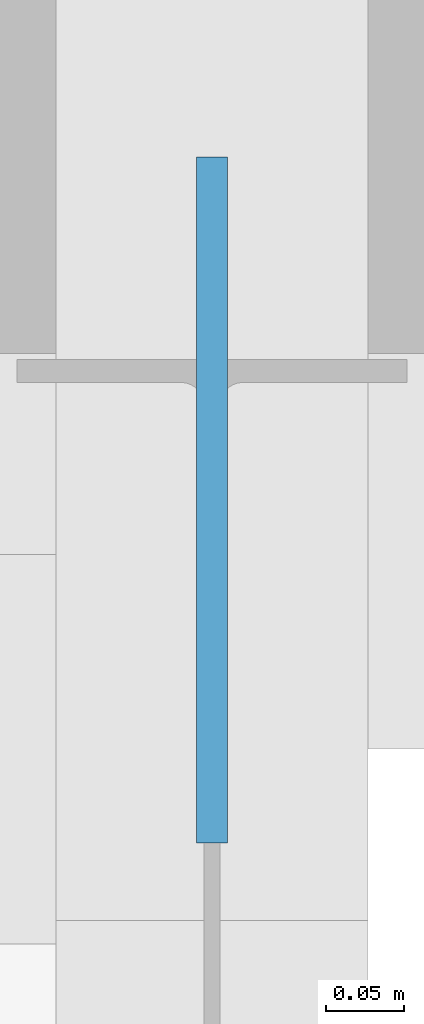
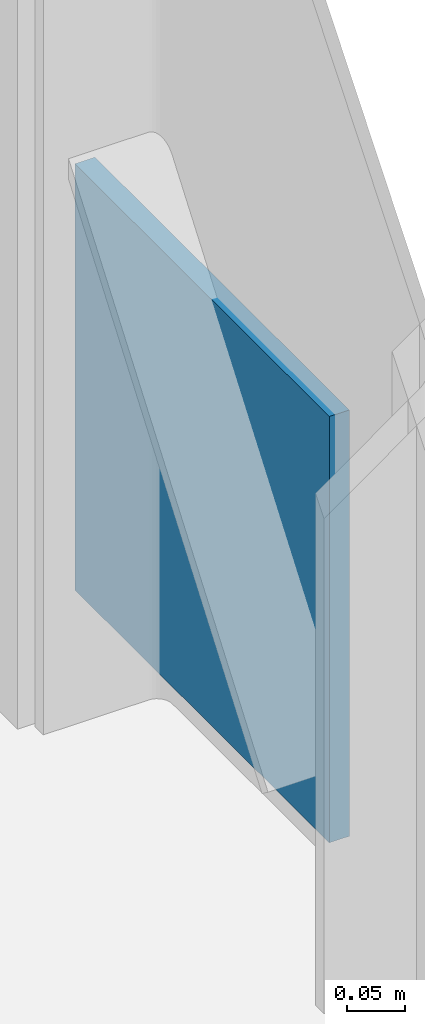
# One storey, part 66 of 84: 1 discrete accessory.
"""IFC4 building model written with IfcOpenShell, lengths in metres."""

from ifc_helpers import new_model, si_unit, direction, frame, origin, origin_2d, place, context, subcontext, project, spatial, rectangle, extrude, material, layer, layer_set, type_object, element, save


model = new_model("IFC4")

# Units and contexts
model_context = context("Model", 3, precision=1e-05, world=origin(), true_north=direction((0.0, 1.0)))
body_context = subcontext(model_context, "Body", "Model", "MODEL_VIEW")
ifc_project = project(units=[si_unit("LENGTHUNIT", "METRE"), si_unit("AREAUNIT", "SQUARE_METRE"), si_unit("VOLUMEUNIT", "CUBIC_METRE"), si_unit("PLANEANGLEUNIT", "RADIAN"), si_unit("MASSUNIT", "GRAM", prefix="KILO")], contexts=[model_context])

# Site, building, storey
site_placement = place(None, origin())
site = spatial("IfcSite", under=ifc_project, at=site_placement, CompositionType="ELEMENT")
building_placement = place(site_placement, origin())
building = spatial("IfcBuilding", under=site, at=building_placement, Name="Varnakota Square Police Headquarters", CompositionType="ELEMENT")
storey_placement = place(building_placement, frame((0.0, 0.0, 13.5)))
storey = spatial("IfcBuildingStorey", under=building, at=storey_placement, Name="L03", CompositionType="ELEMENT", Elevation=13.5)

# Discrete accessory
ifc_material = material(Name="Steel IS 2062 Grade 350", Category="steel")
ifc_layer = layer(ifc_material, 0.64990234375, Name="Steel IS 2062 Grade 350")
ifc_layer_set = layer_set([ifc_layer], Name="Steel IS 2062 Grade 350")
discrete_accessory_type = type_object("IfcDiscreteAccessoryType", Name="ACC-EMB-350", PredefinedType="BRACKET", material=ifc_layer_set)
discrete_accessory_placement = place(storey_placement, frame((42.0, 27.159912109375, 0.02490234375), z_axis=(0.0, 0.0, 1.0), x_axis=(0.0, 1.0, 0.0)))
element("IfcDiscreteAccessory", 1, at=discrete_accessory_placement, inside=storey, type_object=discrete_accessory_type, Name="Brace gusset connection plate BF3 L03 L", PredefinedType="BRACKET", context=body_context, shape_type="SweptSolid", body=[
    extrude(rectangle(XDim=0.43994140625, YDim=0.02001953125, at=origin_2d()), origin(), (0.0, 0.0, 1.0), 0.449951171875),
])

save(model, "model.ifc")
